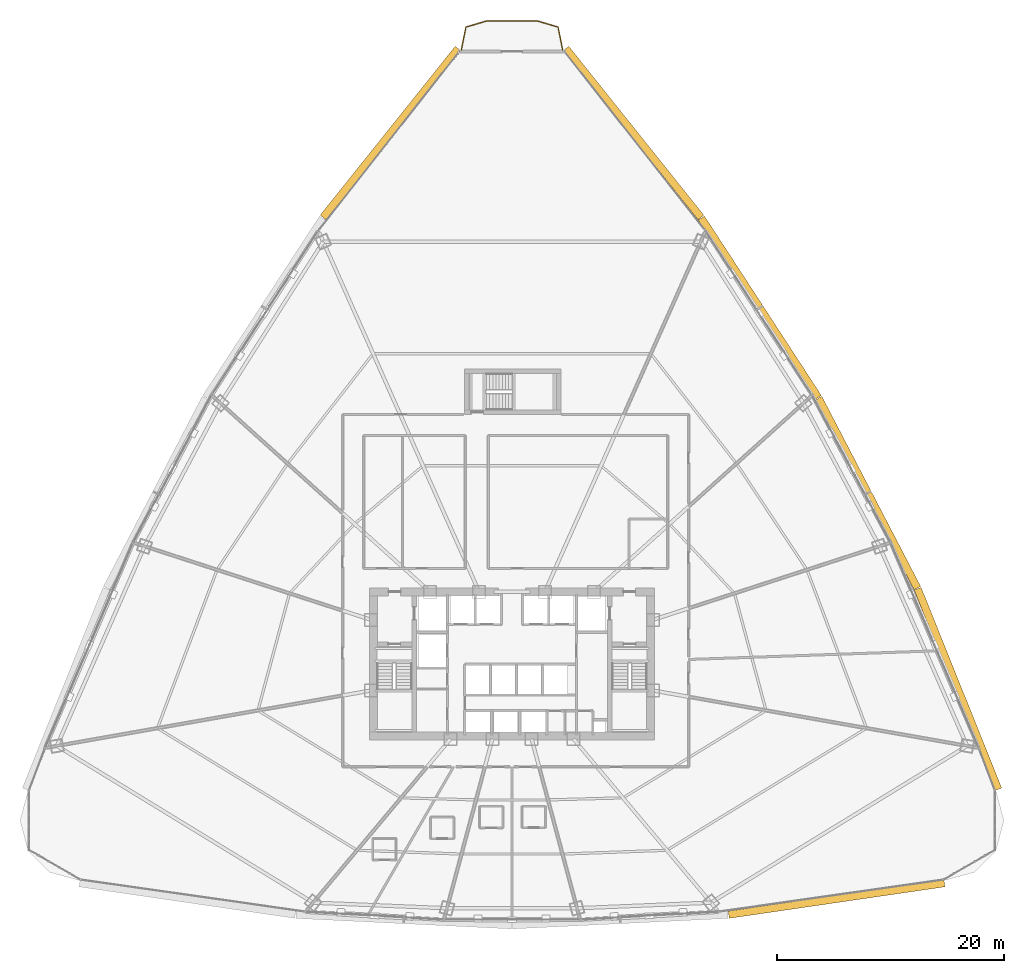
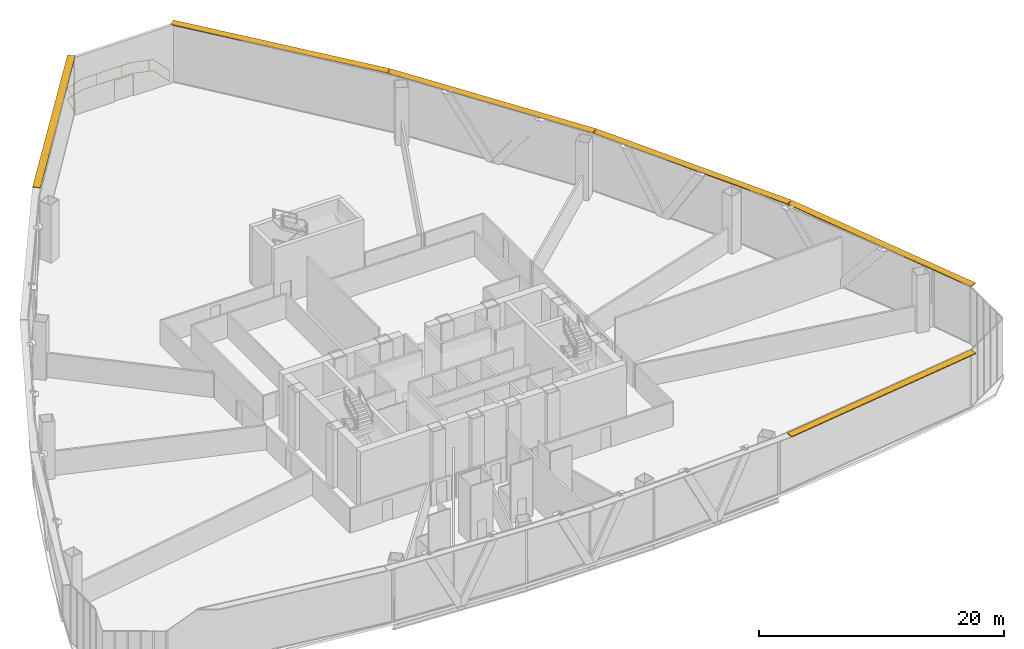
# One storey, part 41 of 41: 6 shading devices, 1 railing.
"""IFC4 building model written with IfcOpenShell, lengths in metres."""

from ifc_helpers import new_model, si_unit, direction, frame, origin, origin_2d, place, context, subcontext, project, spatial, rectangle, extrude, source, transform, mapped, material, layer, layer_set, type_object, element, save


model = new_model("IFC4")

# Units and contexts
model_context = context("Model", 3, precision=1e-05, world=origin(), true_north=direction((0.0, 1.0)))
body_context = subcontext(model_context, "Body", "Model", "MODEL_VIEW")
ifc_project = project(units=[si_unit("LENGTHUNIT", "METRE"), si_unit("AREAUNIT", "SQUARE_METRE"), si_unit("VOLUMEUNIT", "CUBIC_METRE"), si_unit("PLANEANGLEUNIT", "RADIAN"), si_unit("MASSUNIT", "GRAM", prefix="KILO"), si_unit("THERMODYNAMICTEMPERATUREUNIT", "KELVIN"), si_unit("POWERUNIT", "WATT")], contexts=[model_context])

# Site, building, storey
site_placement = place(None, origin())
site = spatial("IfcSite", under=ifc_project, at=site_placement, CompositionType="ELEMENT")
building_placement = place(site_placement, origin())
building = spatial("IfcBuilding", under=site, at=building_placement, Name="Yunzhuo Pagoda Commons", CompositionType="ELEMENT")
storey_placement = place(building_placement, frame((0.0, 0.0, 70.330078125)))
storey = spatial("IfcBuildingStorey", under=building, at=storey_placement, Name="L18", CompositionType="ELEMENT", Elevation=70.330078125)

# Railing
ifc_material = material(Name="Anodized aluminium 6063-T6", Category="aluminium")
railing_type = type_object("IfcRailingType", Name="RL-BAL1 Exterior Terrace & Balcony Balustrade 1150", PredefinedType="BALUSTRADE", material=ifc_material)
railing_placement = place(storey_placement, frame((52.462890625, 87.865234375, 0.0)))
element("IfcRailing", 1, at=railing_placement, inside=storey, type_object=railing_type, Name="L18 corner balcony balustrade V3", PredefinedType="BALUSTRADE", context=body_context, shape_type="SweptSolid", body=[
    extrude(rectangle(XDim=0.048095703125, YDim=0.048095703125, at=origin_2d()), frame((0.0, 0.0, 1.1259765625), z_axis=(-0.194200568098, 0.980961843983, 0.0), x_axis=(-0.980961843983, -0.194200568098, 0.0)), (0.0, 0.0, 1.0), 2.059326171875),
    extrude(rectangle(XDim=0.048095703125, YDim=0.048095703125, at=origin_2d()), frame((0.0, 0.0, 0.02392578125), z_axis=(-0.194200568098, 0.980961843983, 0.0), x_axis=(-0.980961843983, -0.194200568098, 0.0)), (0.0, 0.0, 1.0), 2.059326171875),
    extrude(rectangle(XDim=0.048095703125, YDim=0.048095703125, at=origin_2d()), frame((-0.39990234375, 2.02001953125, 1.1259765625), z_axis=(-0.958912727706, 0.283701217205, 0.0), x_axis=(-0.283701217205, -0.958912727706, 0.0)), (0.0, 0.0, 1.0), 1.8681640625),
    extrude(rectangle(XDim=0.048095703125, YDim=0.048095703125, at=origin_2d()), frame((-0.39990234375, 2.02001953125, 0.02392578125), z_axis=(-0.958912727706, 0.283701217205, 0.0), x_axis=(-0.283701217205, -0.958912727706, 0.0)), (0.0, 0.0, 1.0), 1.8681640625),
    extrude(rectangle(XDim=0.048095703125, YDim=0.048095703125, at=origin_2d()), frame((-2.19140625, 2.550048828125, 1.1259765625), z_axis=(-1.0, 0.0, 0.0), x_axis=(0.0, -1.0, 0.0)), (0.0, 0.0, 1.0), 4.54296875),
    extrude(rectangle(XDim=0.048095703125, YDim=0.048095703125, at=origin_2d()), frame((-2.19140625, 2.550048828125, 0.02392578125), z_axis=(-1.0, 0.0, 0.0), x_axis=(0.0, -1.0, 0.0)), (0.0, 0.0, 1.0), 4.54296875),
    extrude(rectangle(XDim=0.048095703125, YDim=0.048095703125, at=origin_2d()), frame((-6.734375, 2.550048828125, 1.1259765625), z_axis=(-0.958912727706, -0.283701217205, 0.0), x_axis=(0.283701217205, -0.958912727706, 0.0)), (0.0, 0.0, 1.0), 1.8681640625),
    extrude(rectangle(XDim=0.048095703125, YDim=0.048095703125, at=origin_2d()), frame((-6.734375, 2.550048828125, 0.02392578125), z_axis=(-0.958912727706, -0.283701217205, 0.0), x_axis=(0.283701217205, -0.958912727706, 0.0)), (0.0, 0.0, 1.0), 1.8681640625),
    extrude(rectangle(XDim=0.048095703125, YDim=0.048095703125, at=origin_2d()), frame((-8.52587890625, 2.02001953125, 1.1259765625), z_axis=(-0.194200568098, -0.980961843983, 0.0), x_axis=(0.980961843983, -0.194200568098, 0.0)), (0.0, 0.0, 1.0), 2.059326171875),
    extrude(rectangle(XDim=0.048095703125, YDim=0.048095703125, at=origin_2d()), frame((-8.52587890625, 2.02001953125, 0.02392578125), z_axis=(-0.194200568098, -0.980961843983, 0.0), x_axis=(0.980961843983, -0.194200568098, 0.0)), (0.0, 0.0, 1.0), 2.059326171875),
    extrude(rectangle(XDim=0.0419921875, YDim=0.0419921875, at=origin_2d()), origin(), (0.0, 0.0, 1.0), 1.101806640625),
    extrude(rectangle(XDim=0.0419921875, YDim=0.0419921875, at=origin_2d()), frame((-0.7265625, 2.11669921875, 0.0)), (0.0, 0.0, 1.0), 1.101806640625),
    extrude(rectangle(XDim=0.0419921875, YDim=0.0419921875, at=origin_2d()), frame((-3.06396484375, 2.550048828125, 0.0)), (0.0, 0.0, 1.0), 1.101806640625),
    extrude(rectangle(XDim=0.0419921875, YDim=0.0419921875, at=origin_2d()), frame((-5.4638671875, 2.550048828125, 0.0)), (0.0, 0.0, 1.0), 1.101806640625),
    extrude(rectangle(XDim=0.0419921875, YDim=0.0419921875, at=origin_2d()), frame((-7.817626953125, 2.2294921875, 0.0)), (0.0, 0.0, 1.0), 1.101806640625),
    extrude(rectangle(XDim=0.0419921875, YDim=0.0419921875, at=origin_2d()), frame((-8.848388671875, 0.390380859375, 0.0)), (0.0, 0.0, 1.0), 1.101806640625),
    extrude(rectangle(XDim=0.0419921875, YDim=0.0419921875, at=origin_2d()), frame((-8.92578125, 0.0, 0.0)), (0.0, 0.0, 1.0), 1.101806640625),
])

# Shading devices
ifc_layer = layer(ifc_material, 0.080078125)
ifc_layer_set = layer_set([ifc_layer], Name="Anodized aluminium 6063-T6")
shading_device_type = type_object("IfcShadingDeviceType", Name="SH-SUN1 Pagoda Horizontal Sunshade Eave 650", PredefinedType="USERDEFINED", material=ifc_layer_set)
shared_shape_1 = source(origin(), body_context, "Body", "SweptSolid", [
    extrude(rectangle(XDim=19.1787109375, YDim=0.64990234375, at=origin_2d()), origin(), (0.0, 0.0, 1.0), 0.080078125),
])
shading_device_1_placement = place(storey_placement, frame((76.560302734375, 13.1708984375, 5.68994140625), z_axis=(0.0, 0.0, 1.0), x_axis=(0.989510666697, 0.144459823108, 0.0)))
element("IfcShadingDevice", 2, at=shading_device_1_placement, inside=storey, type_object=shading_device_type, Name="L18 horizontal pagoda sunshade eave F1.4", ObjectType="SUNSHADE", PredefinedType="USERDEFINED", context=body_context, shape_type="MappedRepresentation", body=[
    mapped(shared_shape_1, transform((0.0, 0.0, 0.0), scale=1.0)),
])
shared_shape_2 = source(origin(), body_context, "Body", "SweptSolid", [
    extrude(rectangle(XDim=19.0244140625, YDim=0.64990234375, at=origin_2d()), origin(), (0.0, 0.0, 1.0), 0.080078125),
])
shading_device_2_placement = place(storey_placement, frame((87.244384765625, 31.642333984375, 5.68994140625), z_axis=(0.0, 0.0, 1.0), x_axis=(-0.372987782576, 0.927836253899, 0.0)))
element("IfcShadingDevice", 3, at=shading_device_2_placement, inside=storey, type_object=shading_device_type, Name="L18 horizontal pagoda sunshade eave F2.1", ObjectType="SUNSHADE", PredefinedType="USERDEFINED", context=body_context, shape_type="MappedRepresentation", body=[
    mapped(shared_shape_2, transform((0.0, 0.0, 0.0), scale=1.0)),
])
shared_shape_3 = source(origin(), body_context, "Body", "SweptSolid", [
    extrude(rectangle(XDim=18.843994140625, YDim=0.64990234375, at=origin_2d()), origin(), (0.0, 0.0, 1.0), 0.080078125),
])
for number, where, z_axis, x_axis, name in (
    (4, (79.324462890625, 48.8857421875, 5.68994140625), (0.0, 0.0, 1.0), (-0.461206683033, 0.88729273384, 0.0), "L18 horizontal pagoda sunshade eave F2.2"),
    (5, (69.803955078125, 65.1953125, 5.68994140625), (0.0, 0.0, 1.0), (-0.545838756973, 0.837890238269, 0.0), "L18 horizontal pagoda sunshade eave F2.3"),
):
    element("IfcShadingDevice", number, at=place(storey_placement, frame(where, z_axis=z_axis, x_axis=x_axis)), inside=storey, type_object=shading_device_type, Name=name, ObjectType="SUNSHADE", PredefinedType="USERDEFINED", context=body_context, shape_type="MappedRepresentation", body=[
        mapped(shared_shape_3, transform((0.0, 0.0, 0.0), scale=1.0)),
    ])
shared_shape_4 = source(origin(), body_context, "Body", "SweptSolid", [
    extrude(rectangle(XDim=19.024658203125, YDim=0.64990234375, at=origin_2d()), origin(), (0.0, 0.0, 1.0), 0.080078125),
])
for number, where, z_axis, x_axis, name in (
    (6, (58.683349609375, 80.5703125, 5.68994140625), (0.0, 0.0, 1.0), (-0.624520471688, 0.781008438138, 0.0), "L18 horizontal pagoda sunshade eave F2.4"),
    (7, (37.316650390625, 80.5703125, 5.68994140625), (0.0, 0.0, 1.0), (-0.624520471688, -0.781008438138, 0.0), "L18 horizontal pagoda sunshade eave F3.1"),
):
    element("IfcShadingDevice", number, at=place(storey_placement, frame(where, z_axis=z_axis, x_axis=x_axis)), inside=storey, type_object=shading_device_type, Name=name, ObjectType="SUNSHADE", PredefinedType="USERDEFINED", context=body_context, shape_type="MappedRepresentation", body=[
        mapped(shared_shape_4, transform((0.0, 0.0, 0.0), scale=1.0)),
    ])

save(model, "model.ifc")
